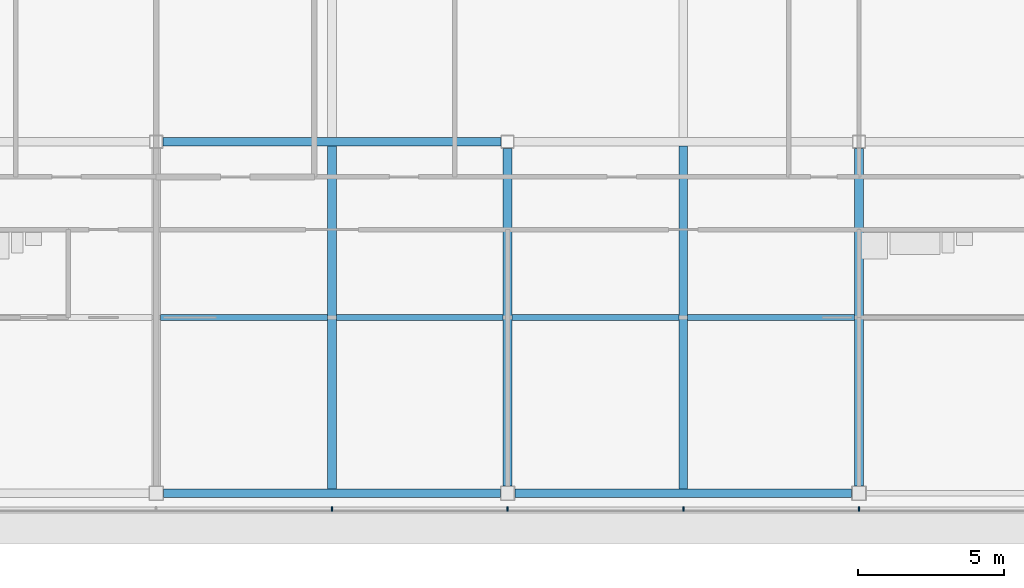
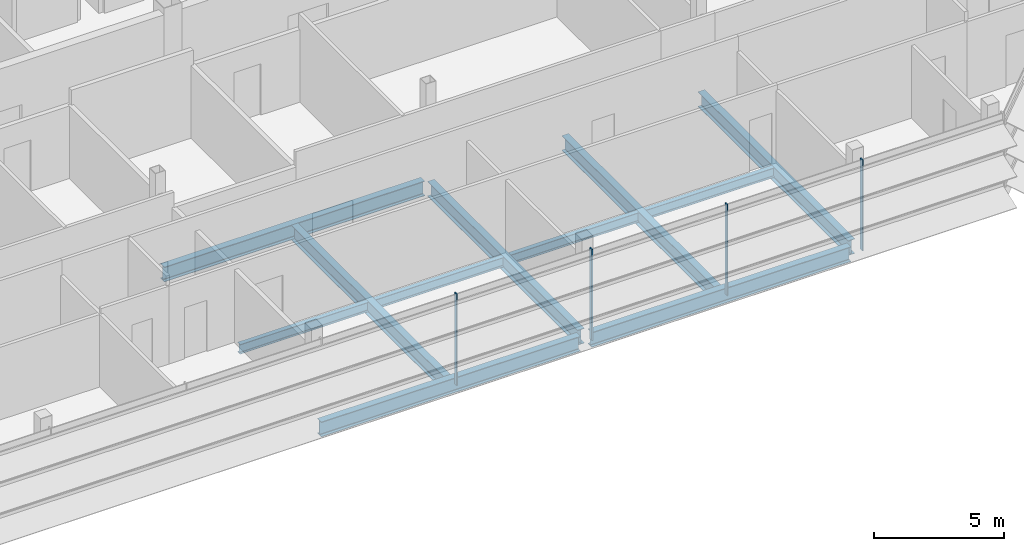
# One storey, part 10 of 29: 11 beams, 4 members, 1 element without a shape of its own.
"""IFC4 building model written with IfcOpenShell, lengths in metres."""

import ifcopenshell
import ifcopenshell.guid

model = None  # the IFC model being written
_history = None  # IfcOwnerHistory: only IFC2X3 demands one
_inside = {}  # id of a spatial element -> (the spatial element, [elements in it])
_under = {}  # id of a project, library or spatial element -> (it, [spatial elements below it])
_declared = {}  # id of a project -> (the project, [libraries it declares])
_typed = {}  # id of a type object -> (the type object, [elements of that type])
_made_of = {}  # id of a material, layer set ... -> (it, [elements and type objects made of it])


def new_model(schema):
    """Start an empty IFC model of exactly this schema.

    Asked for "IFC4X3", IfcOpenShell would pick the latest addendum, in which some entities
    have other attributes; the version numbers below select the first issue.
    IFC2X3 requires an IfcOwnerHistory on every rooted entity: one is made here for all.
    """
    global model, _history
    if schema == "IFC4X3":
        model = ifcopenshell.file(schema_version=(4, 3, 0, 0))
    else:
        model = ifcopenshell.file(schema=schema)
    _inside.clear()
    _under.clear()
    _declared.clear()
    _typed.clear()
    _made_of.clear()
    _history = None
    if model.schema == "IFC2X3":
        org = make("IfcOrganization", Name="unknown")
        user = make(
            "IfcPersonAndOrganization",
            ThePerson=make("IfcPerson", FamilyName="unknown"),
            TheOrganization=org,
        )
        app = make(
            "IfcApplication",
            ApplicationDeveloper=org,
            Version="unknown",
            ApplicationFullName="unknown",
            ApplicationIdentifier="unknown",
        )
        _history = make(
            "IfcOwnerHistory",
            OwningUser=user,
            OwningApplication=app,
            ChangeAction="ADDED",
            CreationDate=0,
        )
    return model


def make(cls, **values):
    """One entity of the class cls with the attributes given. An attribute that is None is left unset."""
    return model.create_entity(
        cls, **{name: value for name, value in values.items() if value is not None}
    )


def rooted(cls, **values):
    """An entity with a GlobalId (a new one), such as an element, a storey or a relation."""
    return make(cls, GlobalId=ifcopenshell.guid.new(), OwnerHistory=_history, **values)


def si_unit(unit_type, name, prefix=None):
    """IfcSIUnit, for example si_unit("LENGTHUNIT", "METRE", prefix="MILLI")."""
    return make("IfcSIUnit", UnitType=unit_type, Prefix=prefix, Name=name)


def assignment(units):
    """IfcUnitAssignment: the units of a project."""
    return None if units is None else make("IfcUnitAssignment", Units=units)


def point(xyz):
    """IfcCartesianPoint."""
    return None if xyz is None else make("IfcCartesianPoint", Coordinates=xyz)


def direction(xyz):
    """IfcDirection."""
    return None if xyz is None else make("IfcDirection", DirectionRatios=xyz)


def frame(location, z_axis=None, x_axis=None):
    """IfcAxis2Placement3D, a coordinate frame: its origin and axes. An axis left out is left unset."""
    return make(
        "IfcAxis2Placement3D",
        Location=point(location),
        Axis=direction(z_axis),
        RefDirection=direction(x_axis),
    )


def frame_2d(location, x_axis=None):
    """IfcAxis2Placement2D, a coordinate frame in the plane: its origin and x axis."""
    return make(
        "IfcAxis2Placement2D", Location=point(location), RefDirection=direction(x_axis)
    )


def origin():
    """The frame at (0, 0, 0) with its axes left unset."""
    return frame((0.0, 0.0, 0.0))


def origin_2d():
    """The frame at (0, 0) in the plane with its x axis left unset."""
    return frame_2d((0.0, 0.0))


def place(relative_to, where):
    """IfcLocalPlacement: puts the frame where relative to a parent placement (None: the world)."""
    return make(
        "IfcLocalPlacement", PlacementRelTo=relative_to, RelativePlacement=where
    )


def context(
    kind, dimensions, precision=None, world=None, true_north=None, identifier=None
):
    """IfcGeometricRepresentationContext, for example the 3D "Model" context."""
    return make(
        "IfcGeometricRepresentationContext",
        ContextIdentifier=identifier,
        ContextType=kind,
        CoordinateSpaceDimension=dimensions,
        Precision=precision,
        WorldCoordinateSystem=world,
        TrueNorth=true_north,
    )


def subcontext(parent, identifier, kind, view, scale=None):
    """IfcGeometricRepresentationSubContext, for example "Body" below "Model"."""
    return make(
        "IfcGeometricRepresentationSubContext",
        ContextIdentifier=identifier,
        ContextType=kind,
        ParentContext=parent,
        TargetScale=scale,
        TargetView=view,
    )


def project(units=None, contexts=None):
    """IfcProject with its units and contexts."""
    return rooted(
        "IfcProject",
        Name="project",
        RepresentationContexts=contexts,
        UnitsInContext=assignment(units),
    )


def spatial(cls, under=None, at=None, **own):
    """A site, building, storey or space (cls), placed at a placement, below another one or the project."""
    s = rooted(cls, ObjectPlacement=at, **own)
    if under is not None:
        _under.setdefault(under.id(), (under, []))[1].append(s)
    return s


def profile(cls, at=None, kind="AREA", **sizes):
    """A parametric profile (cls). Its sizes go by their IFC names, for example OverallWidth=200.0."""
    return make(cls, ProfileType=kind, Position=at, **sizes)


def rectangle(**sizes):
    """IfcRectangleProfileDef."""
    return profile("IfcRectangleProfileDef", **sizes)


def i_section(**sizes):
    """IfcIShapeProfileDef."""
    return profile("IfcIShapeProfileDef", **sizes)


def extrude(swept, where, along, depth):
    """IfcExtrudedAreaSolid: the profile swept, set in the frame where, extruded along a direction by depth."""
    return make(
        "IfcExtrudedAreaSolid",
        SweptArea=swept,
        Position=where,
        ExtrudedDirection=direction(along),
        Depth=depth,
    )


def shape(context_of_items, identifier, shape_type, items):
    """IfcShapeRepresentation: the items that make up one representation, for example the "Body"."""
    return make(
        "IfcShapeRepresentation",
        ContextOfItems=context_of_items,
        RepresentationIdentifier=identifier,
        RepresentationType=shape_type,
        Items=items,
    )


def material(Name=None, Category=None):
    """IfcMaterial."""
    return make("IfcMaterial", Name=Name, Category=Category)


def material_profile(
    of_material, cross_section, Name=None, Category=None, Priority=None
):
    """IfcMaterialProfile: a cross section and its material."""
    return make(
        "IfcMaterialProfile",
        Name=Name,
        Material=of_material,
        Profile=cross_section,
        Priority=Priority,
        Category=Category,
    )


def profile_set(profiles, Name=None, composite=None):
    """IfcMaterialProfileSet."""
    return make(
        "IfcMaterialProfileSet",
        Name=Name,
        MaterialProfiles=profiles,
        CompositeProfile=composite,
    )


def made_of(thing, what):
    """Note that an element or type object is made of a material, layer set ...; save() writes the relation."""
    if what is not None:
        _made_of.setdefault(what.id(), (what, []))[1].append(thing)
    return thing


def type_object(cls, material=None, **own):
    """A type object (cls), such as IfcWallType, which elements share."""
    return made_of(rooted(cls, **own), material)


def element(
    cls,
    number,
    at=None,
    inside=None,
    cuts=None,
    type_object=None,
    material=None,
    context=None,
    identifier="Body",
    shape_type=None,
    held_by="IfcProductDefinitionShape",
    body=None,
    shapes=None,
    **own,
):
    """One element of the class cls, such as IfcWall. Its Tag is "e" and its number.

    at: its placement. inside: the storey or other place that contains it. cuts: it is an
    opening in that element (IfcRelVoidsElement). A single representation is given by context,
    identifier, shape_type and body (its items); several are given by shapes. held_by: the class
    of the entity that holds the representations. save() writes the other relations.
    """
    e = rooted(cls, Tag="e%d" % number, ObjectPlacement=at, **own)
    if body is not None:
        shapes = [shape(context, identifier, shape_type, body)]
    if shapes is not None:
        e.Representation = make(held_by, Representations=shapes)
    if inside is not None:
        _inside.setdefault(inside.id(), (inside, []))[1].append(e)
    if cuts is not None:
        rooted(
            "IfcRelVoidsElement", RelatingBuildingElement=cuts, RelatedOpeningElement=e
        )
    if type_object is not None:
        _typed.setdefault(type_object.id(), (type_object, []))[1].append(e)
    return made_of(e, material)


def aggregate(whole, parts):
    """IfcRelAggregates: a whole, such as a stair, and the parts it consists of."""
    return rooted("IfcRelAggregates", RelatingObject=whole, RelatedObjects=parts)


def save(model, path):
    """Write the relations noted so far, then the file.

    IfcRelAggregates (storeys below a building ...), IfcRelContainedInSpatialStructure (elements
    in a storey), IfcRelDefinesByType, IfcRelAssociatesMaterial and IfcRelDeclares: one each for
    every whole, place, type object, material and project.
    """
    for whole, parts in _under.values():
        aggregate(whole, parts)
    for where, things in _inside.values():
        rooted(
            "IfcRelContainedInSpatialStructure",
            RelatedElements=things,
            RelatingStructure=where,
        )
    for kind, things in _typed.values():
        rooted("IfcRelDefinesByType", RelatedObjects=things, RelatingType=kind)
    for what, things in _made_of.values():
        rooted("IfcRelAssociatesMaterial", RelatedObjects=things, RelatingMaterial=what)
    for by, libraries in _declared.values():
        rooted("IfcRelDeclares", RelatingContext=by, RelatedDefinitions=libraries)
    model.write(path)


model = new_model("IFC4")

# Units and contexts
model_context = context("Model", 3, precision=1e-05, world=origin(), true_north=direction((0.0, 1.0)))
body_context = subcontext(model_context, "Body", "Model", "MODEL_VIEW")
ifc_project = project(units=[si_unit("LENGTHUNIT", "METRE"), si_unit("AREAUNIT", "SQUARE_METRE"), si_unit("VOLUMEUNIT", "CUBIC_METRE"), si_unit("PLANEANGLEUNIT", "RADIAN"), si_unit("MASSUNIT", "GRAM", prefix="KILO")], contexts=[model_context])

# Site, building, storey
site_placement = place(None, origin())
site = spatial("IfcSite", under=ifc_project, at=site_placement, CompositionType="ELEMENT")
building_placement = place(site_placement, origin())
building = spatial("IfcBuilding", under=site, at=building_placement, Name="Sorahane Residences", CompositionType="ELEMENT")
storey_placement = place(building_placement, frame((0.0, 0.0, 326.800048828125)))
storey = spatial("IfcBuildingStorey", under=building, at=storey_placement, Name="L78", CompositionType="ELEMENT", Elevation=326.800048828125)

# Curtain wall, members
ifc_material_1 = material(Name="Dark low-e glass and black anodised aluminium", Category="aluminium")
curtain_wall_type = type_object("IfcCurtainWallType", Name="Curtain wall CW-1 Typical unitised wall", PredefinedType="NOTDEFINED", material=ifc_material_1)
curtain_wall_placement = place(storey_placement, origin())
curtain_wall = element("IfcCurtainWall", 1, at=curtain_wall_placement, inside=storey, type_object=curtain_wall_type, Name="CW-1 curtain wall L78 S1", PredefinedType="NOTDEFINED")
ifc_material_2 = material(Name="Black anodised aluminium", Category="aluminium")
ifc_material_profile_1 = material_profile(ifc_material_2, rectangle(XDim=0.159912109375, YDim=0.050048828125, at=origin_2d()), Name="Curtain wall mullion CW-1 black anodised aluminium 50x160")
ifc_profile_set_1 = profile_set([ifc_material_profile_1], Name="Black anodised aluminium")
member_type = type_object("IfcMemberType", Name="Curtain wall mullion CW-1 black anodised aluminium 50x160", PredefinedType="MULLION", material=ifc_profile_set_1)
member_1_placement = place(storey_placement, frame((18.0, -0.5400390625, -0.179931640625), z_axis=(0.0, 0.0, 1.0), x_axis=(0.0, -1.0, 0.0)))
member_1 = element("IfcMember", 2, at=member_1_placement, type_object=member_type, Name="CW-1 mullion L78 S1.6", PredefinedType="MULLION", context=body_context, shape_type="SweptSolid", body=[
    extrude(rectangle(XDim=0.159912109375, YDim=0.050048828125, at=origin_2d()), origin(), (0.0, 0.0, 1.0), 4.27978515625),
])
member_2_placement = place(storey_placement, frame((24.0, -0.5400390625, -0.179931640625), z_axis=(0.0, 0.0, 1.0), x_axis=(0.0, -1.0, 0.0)))
member_2 = element("IfcMember", 3, at=member_2_placement, type_object=member_type, Name="CW-1 mullion L78 S1.7", PredefinedType="MULLION", context=body_context, shape_type="SweptSolid", body=[
    extrude(rectangle(XDim=0.159912109375, YDim=0.050048828125, at=origin_2d()), origin(), (0.0, 0.0, 1.0), 4.27978515625),
])
member_3_placement = place(storey_placement, frame((30.0, -0.5400390625, -0.179931640625), z_axis=(0.0, 0.0, 1.0), x_axis=(0.0, -1.0, 0.0)))
member_3 = element("IfcMember", 4, at=member_3_placement, type_object=member_type, Name="CW-1 mullion L78 S1.8", PredefinedType="MULLION", context=body_context, shape_type="SweptSolid", body=[
    extrude(rectangle(XDim=0.159912109375, YDim=0.050048828125, at=origin_2d()), origin(), (0.0, 0.0, 1.0), 4.27978515625),
])
member_4_placement = place(storey_placement, frame((36.0, -0.5400390625, -0.179931640625), z_axis=(0.0, 0.0, 1.0), x_axis=(0.0, -1.0, 0.0)))
member_4 = element("IfcMember", 5, at=member_4_placement, type_object=member_type, Name="CW-1 mullion L78 S1.9", PredefinedType="MULLION", context=body_context, shape_type="SweptSolid", body=[
    extrude(rectangle(XDim=0.159912109375, YDim=0.050048828125, at=origin_2d()), origin(), (0.0, 0.0, 1.0), 4.27978515625),
])
aggregate(curtain_wall, [member_1, member_2, member_3, member_4])

# Beams
ifc_material_3 = material(Name="Steel Q355B", Category="steel")
ifc_material_profile_2 = material_profile(ifc_material_3, i_section(OverallWidth=0.199951171875, OverallDepth=0.449951171875, WebThickness=0.009033203125, FlangeThickness=0.013916015625, FilletRadius=0.02001953125, at=origin_2d()), Name="HN 450x200x9x14")
ifc_profile_set_2 = profile_set([ifc_material_profile_2], Name="Steel Q355B")
beam_type_1 = type_object("IfcBeamType", Name="Steel floor beam HN 450x200x9x14 Q355B", PredefinedType="BEAM", material=ifc_profile_set_2)
for number, where, z_axis, x_axis, name in (
    (6, (12.14990234375, 6.0, -0.405029296875), (1.0, 0.0, 0.0), (0.0, 1.0, 0.0), "Beam L78 070"),
    (7, (18.14990234375, 6.0, -0.405029296875), (1.0, 0.0, 0.0), (0.0, 1.0, 0.0), "Beam L78 071"),
    (8, (24.14990234375, 6.0, -0.405029296875), (1.0, 0.0, 0.0), (0.0, 1.0, 0.0), "Beam L78 072"),
    (9, (30.14990234375, 6.0, -0.405029296875), (1.0, 0.0, 0.0), (0.0, 1.0, 0.0), "Beam L78 073"),
):
    element("IfcBeam", number, at=place(storey_placement, frame(where, z_axis=z_axis, x_axis=x_axis)), inside=storey, type_object=beam_type_1, Name=name, PredefinedType="BEAM", context=body_context, shape_type="SweptSolid", body=[
        extrude(i_section(OverallWidth=0.199951171875, OverallDepth=0.449951171875, WebThickness=0.009033203125, FlangeThickness=0.013916015625, FilletRadius=0.02001953125, at=origin_2d()), origin(), (0.0, 0.0, 1.0), 5.7001953125),
    ])
ifc_material_4 = material(Name="Steel Q355B", Category="steel")
ifc_material_profile_3 = material_profile(ifc_material_4, i_section(OverallWidth=0.300048828125, OverallDepth=0.699951171875, WebThickness=0.012939453125, FlangeThickness=0.02392578125, FilletRadius=0.028076171875, at=origin_2d()), Name="HN 700x300x13x24")
ifc_profile_set_3 = profile_set([ifc_material_profile_3], Name="Steel Q355B")
beam_type_2 = type_object("IfcBeamType", Name="Steel floor beam HN 700x300x13x24 Q355B", PredefinedType="BEAM", material=ifc_profile_set_3)
for number, where, z_axis, x_axis, name in (
    (10, (12.25, 0.0, -0.530029296875), (1.0, 0.0, 0.0), (0.0, 1.0, 0.0), "Beam L78 002"),
    (11, (24.25, 0.0, -0.530029296875), (1.0, 0.0, 0.0), (0.0, 1.0, 0.0), "Beam L78 003"),
):
    element("IfcBeam", number, at=place(storey_placement, frame(where, z_axis=z_axis, x_axis=x_axis)), inside=storey, type_object=beam_type_2, Name=name, PredefinedType="BEAM", context=body_context, shape_type="SweptSolid", body=[
        extrude(i_section(OverallWidth=0.300048828125, OverallDepth=0.699951171875, WebThickness=0.012939453125, FlangeThickness=0.02392578125, FilletRadius=0.028076171875, at=origin_2d()), origin(), (0.0, 0.0, 1.0), 11.5),
    ])
beam_1_placement = place(storey_placement, frame((12.22509765625, 12.0, -0.530029296875), z_axis=(1.0, 0.0, 0.0), x_axis=(0.0, 1.0, 0.0)))
element("IfcBeam", 12, at=beam_1_placement, inside=storey, type_object=beam_type_2, Name="Beam L78 008", PredefinedType="BEAM", context=body_context, shape_type="SweptSolid", body=[
    extrude(i_section(OverallWidth=0.300048828125, OverallDepth=0.699951171875, WebThickness=0.012939453125, FlangeThickness=0.02392578125, FilletRadius=0.028076171875, at=origin_2d()), origin(), (0.0, 0.0, 1.0), 11.5498046875),
])
beam_2_placement = place(storey_placement, frame((18.0, 0.14990234375, -0.530029296875), z_axis=(0.0, 1.0, 0.0), x_axis=(-1.0, 0.0, 0.0)))
element("IfcBeam", 13, at=beam_2_placement, inside=storey, type_object=beam_type_2, Name="Beam L78 040", PredefinedType="BEAM", context=body_context, shape_type="SweptSolid", body=[
    extrude(i_section(OverallWidth=0.300048828125, OverallDepth=0.699951171875, WebThickness=0.012939453125, FlangeThickness=0.02392578125, FilletRadius=0.028076171875, at=origin_2d()), origin(), (0.0, 0.0, 1.0), 11.7001953125),
])
beam_3_placement = place(storey_placement, frame((24.0, 0.25, -0.530029296875), z_axis=(0.0, 1.0, 0.0), x_axis=(-1.0, 0.0, 0.0)))
element("IfcBeam", 14, at=beam_3_placement, inside=storey, type_object=beam_type_2, Name="Beam L78 046", PredefinedType="BEAM", context=body_context, shape_type="SweptSolid", body=[
    extrude(i_section(OverallWidth=0.300048828125, OverallDepth=0.699951171875, WebThickness=0.012939453125, FlangeThickness=0.02392578125, FilletRadius=0.028076171875, at=origin_2d()), origin(), (0.0, 0.0, 1.0), 11.52490234375),
])
beam_4_placement = place(storey_placement, frame((30.0, 0.14990234375, -0.530029296875), z_axis=(0.0, 1.0, 0.0), x_axis=(-1.0, 0.0, 0.0)))
element("IfcBeam", 15, at=beam_4_placement, inside=storey, type_object=beam_type_2, Name="Beam L78 048", PredefinedType="BEAM", context=body_context, shape_type="SweptSolid", body=[
    extrude(i_section(OverallWidth=0.300048828125, OverallDepth=0.699951171875, WebThickness=0.012939453125, FlangeThickness=0.02392578125, FilletRadius=0.028076171875, at=origin_2d()), origin(), (0.0, 0.0, 1.0), 11.7001953125),
])
beam_5_placement = place(storey_placement, frame((36.0, 0.25, -0.530029296875), z_axis=(0.0, 1.0, 0.0), x_axis=(-1.0, 0.0, 0.0)))
element("IfcBeam", 16, at=beam_5_placement, inside=storey, type_object=beam_type_2, Name="Beam L78 054", PredefinedType="BEAM", context=body_context, shape_type="SweptSolid", body=[
    extrude(i_section(OverallWidth=0.300048828125, OverallDepth=0.699951171875, WebThickness=0.012939453125, FlangeThickness=0.02392578125, FilletRadius=0.028076171875, at=origin_2d()), origin(), (0.0, 0.0, 1.0), 11.52490234375),
])

save(model, "model.ifc")
